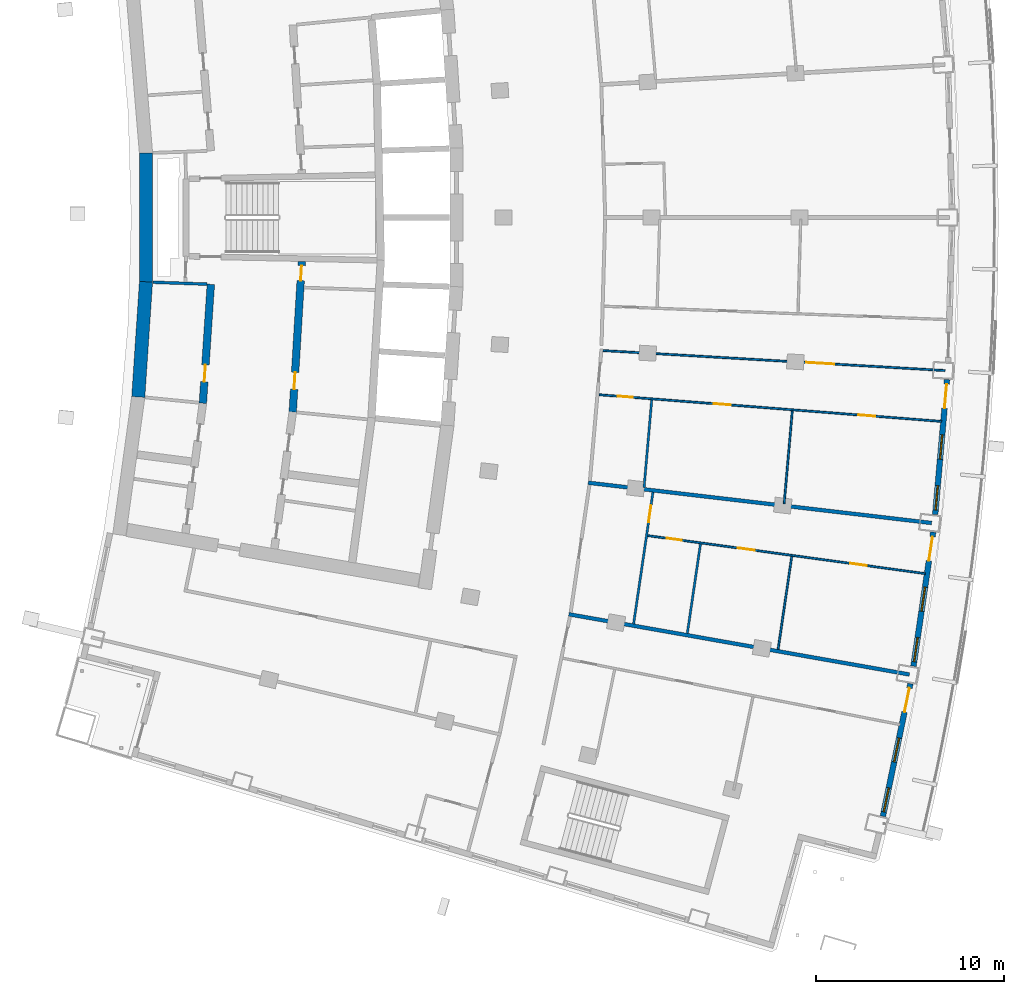
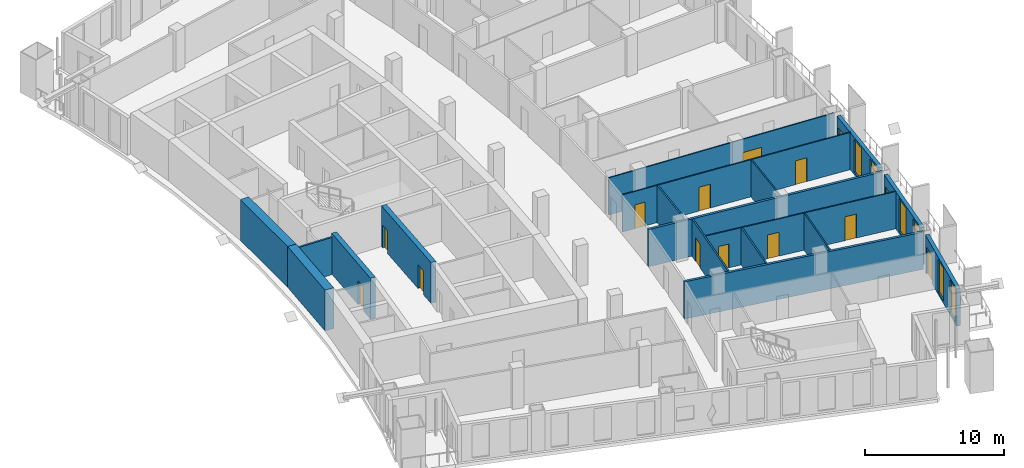
# One storey, part 12 of 20: 18 walls, 14 doors, 6 windows, 20 openings.
"""IFC4 building model written with IfcOpenShell, lengths in metres."""

from ifc_helpers import new_model, si_unit, direction, frame, frame_2d, origin, place, context, subcontext, project, spatial, rectangle, extrude, material, layer, layer_set, type_object, element, fill, save


model = new_model("IFC4")

# Units and contexts
model_context = context("Model", 3, precision=1e-05, world=origin(), true_north=direction((0.0, 1.0)))
body_context = subcontext(model_context, "Body", "Model", "MODEL_VIEW")
ifc_project = project(units=[si_unit("LENGTHUNIT", "METRE"), si_unit("AREAUNIT", "SQUARE_METRE"), si_unit("VOLUMEUNIT", "CUBIC_METRE"), si_unit("PLANEANGLEUNIT", "RADIAN"), si_unit("MASSUNIT", "GRAM", prefix="KILO")], contexts=[model_context])

# Site, building, storey
site_placement = place(None, origin())
site = spatial("IfcSite", under=ifc_project, at=site_placement, CompositionType="ELEMENT")
building_placement = place(site_placement, origin())
building = spatial("IfcBuilding", under=site, at=building_placement, Name="Alderwake Tower", CompositionType="ELEMENT")
storey_placement = place(building_placement, frame((0.0, 0.0, 167.60009765625)))
storey = spatial("IfcBuildingStorey", under=building, at=storey_placement, Name="L41", CompositionType="ELEMENT", Elevation=167.60009765625)

# Walls
ifc_material_1 = material(Name="Gypsum shaft wall system, rated")
ifc_layer_1 = layer(ifc_material_1, 0.14990234375)
ifc_layer_set_1 = layer_set([ifc_layer_1], Name="Core room partition 150")
wall_type_1 = type_object("IfcWallType", Name="Core room partition 150", PredefinedType="PARTITIONING", material=ifc_layer_set_1)
wall_1_placement = place(storey_placement, frame((17.169189453125, 57.560546875, 0.0), z_axis=(0.0, 0.0, 1.0), x_axis=(0.999373538371, -0.03539111194, 0.0)))
element("IfcWall", 1, at=wall_1_placement, inside=storey, type_object=wall_type_1, Name="CW/L41/PR-37_+0", PredefinedType="PARTITIONING", context=body_context, shape_type="SweptSolid", body=[
    extrude(rectangle(XDim=2.86962890625, YDim=0.14990234375, at=frame_2d((1.434814453125, 0.0))), origin(), (0.0, 0.0, 1.0), 3.27978515625),
])
ifc_material_2 = material(Name="Concrete C70/85", Category="concrete")
ifc_layer_2 = layer(ifc_material_2, 0.699951171875)
ifc_layer_set_2 = layer_set([ifc_layer_2], Name="Core wall outer 700 C70-85")
wall_type_2 = type_object("IfcWallType", Name="Core wall outer 700 C70-85", PredefinedType="SHEAR", material=ifc_layer_set_2)
wall_2_placement = place(storey_placement, frame((16.379638671875, 51.46337890625, 0.0), z_axis=(0.0, 0.0, 1.0), x_axis=(0.066917731608, 0.997758496429, 0.0)))
element("IfcWall", 2, at=wall_2_placement, inside=storey, type_object=wall_type_2, Name="Core wall CW.041", PredefinedType="SHEAR", context=body_context, shape_type="SweptSolid", body=[
    extrude(rectangle(XDim=6.136474609375, YDim=0.699951171875, at=frame_2d((3.068359375, 0.0))), origin(), (0.0, 0.0, 1.0), 3.599853515625),
])
wall_3_placement = place(storey_placement, frame((16.789306640625, 57.561767578125, 0.0), z_axis=(0.0, 0.0, 1.0), x_axis=(0.0, 1.0, 0.0)))
element("IfcWall", 3, at=wall_3_placement, inside=storey, type_object=wall_type_2, Name="Core wall CW.043", PredefinedType="SHEAR", context=body_context, shape_type="SweptSolid", body=[
    extrude(rectangle(XDim=6.87939453125, YDim=0.699951171875, at=frame_2d((3.439697265625, 0.0))), origin(), (0.0, 0.0, 1.0), 3.599853515625),
])

# Wall, opening, door
ifc_material_3 = material(Name="Concrete C70/85", Category="concrete")
ifc_layer_3 = layer(ifc_material_3, 0.39990234375)
ifc_layer_set_3 = layer_set([ifc_layer_3], Name="Core wall spine 400 C70-85")
wall_type_3 = type_object("IfcWallType", Name="Core wall spine 400 C70-85", PredefinedType="SHEAR", material=ifc_layer_set_3)
wall_4_placement = place(storey_placement, frame((20.2373046875, 57.451904296875, 0.0), z_axis=(0.0, 0.0, 1.0), x_axis=(-0.066887252767, -0.997760540118, 0.0)))
wall_4 = element("IfcWall", 4, at=wall_4_placement, inside=storey, type_object=wall_type_3, Name="Core wall CW.032", PredefinedType="SHEAR", context=body_context, shape_type="SweptSolid", body=[
    extrude(rectangle(XDim=6.33642578125, YDim=0.39990234375, at=frame_2d((3.168212890625, 0.0))), origin(), (0.0, 0.0, 1.0), 3.599853515625),
])
opening_1_placement = place(wall_4_placement, frame((4.29736328125, 0.0, 0.0)))
opening_1 = element("IfcOpeningElement", 5, at=opening_1_placement, cuts=wall_4, Name="Opening C040", PredefinedType="OPENING", context=body_context, shape_type="SweptSolid", body=[
    extrude(rectangle(XDim=0.89990234375, YDim=2.10009765625, at=frame_2d((0.449951171875, 1.050048828125))), frame((0.0, 0.2099609375, 0.0), z_axis=(0.0, -1.0, 0.0), x_axis=(1.0, 0.0, 0.0)), (0.0, 0.0, 1.0), 0.419921875),
])
ifc_material_4 = material(Name="Painted steel leaf", Category="steel")
door_type_1 = type_object("IfcDoorType", Name="Core room door 900", OperationType="SINGLE_SWING_LEFT", PredefinedType="DOOR", material=ifc_material_4)
door_1_placement = place(opening_1_placement, origin())
door_1 = element("IfcDoor", 6, at=door_1_placement, inside=storey, type_object=door_type_1, Name="Room door", OperationType="SINGLE_SWING_RIGHT", OverallHeight=2.10009765625, OverallWidth=0.89990234375, PredefinedType="DOOR", context=body_context, shape_type="SweptSolid", body=[
    extrude(rectangle(XDim=0.89990234375, YDim=2.10009765625, at=frame_2d((0.449951171875, 1.050048828125))), frame((0.0, 0.02490234375, 0.0), z_axis=(0.0, -1.0, 0.0), x_axis=(1.0, 0.0, 0.0)), (0.0, 0.0, 1.0), 0.050048828125),
])
fill(opening_1, door_1)

# Wall, openings, doors
wall_5_placement = place(storey_placement, frame((24.590087890625, 50.656982421875, 0.0), z_axis=(0.0, 0.0, 1.0), x_axis=(0.060320473855, 0.99817906231, 0.0)))
wall_5 = element("IfcWall", 7, at=wall_5_placement, inside=storey, type_object=wall_type_3, Name="Core wall CW.046", PredefinedType="SHEAR", context=body_context, shape_type="SweptSolid", body=[
    extrude(rectangle(XDim=8.02197265625, YDim=0.39990234375, at=frame_2d((4.010986328125, 0.0))), origin(), (0.0, 0.0, 1.0), 3.599853515625),
])
opening_2_placement = place(wall_5_placement, frame((7.005859375, 0.0, 0.0)))
opening_2 = element("IfcOpeningElement", 8, at=opening_2_placement, cuts=wall_5, Name="Opening C006", PredefinedType="OPENING", context=body_context, shape_type="SweptSolid", body=[
    extrude(rectangle(XDim=0.800048828125, YDim=2.0, at=frame_2d((0.39990234375, 1.0))), frame((0.0, 0.2099609375, 0.0), z_axis=(0.0, -1.0, 0.0), x_axis=(1.0, 0.0, 0.0)), (0.0, 0.0, 1.0), 0.419921875),
])
opening_3_placement = place(wall_5_placement, frame((1.21533203125, 0.0, 0.0)))
opening_3 = element("IfcOpeningElement", 9, at=opening_3_placement, cuts=wall_5, Name="Opening C046", PredefinedType="OPENING", context=body_context, shape_type="SweptSolid", body=[
    extrude(rectangle(XDim=0.89990234375, YDim=2.10009765625, at=frame_2d((0.449951171875, 1.050048828125))), frame((0.0, 0.2099609375, 0.0), z_axis=(0.0, -1.0, 0.0), x_axis=(1.0, 0.0, 0.0)), (0.0, 0.0, 1.0), 0.419921875),
])
door_2_placement = place(opening_3_placement, origin())
door_2 = element("IfcDoor", 10, at=door_2_placement, inside=storey, type_object=door_type_1, Name="Room door", OperationType="SINGLE_SWING_RIGHT", OverallHeight=2.10009765625, OverallWidth=0.89990234375, PredefinedType="DOOR", context=body_context, shape_type="SweptSolid", body=[
    extrude(rectangle(XDim=0.89990234375, YDim=2.10009765625, at=frame_2d((0.449951171875, 1.050048828125))), frame((0.0, 0.02490234375, 0.0), z_axis=(0.0, -1.0, 0.0), x_axis=(1.0, 0.0, 0.0)), (0.0, 0.0, 1.0), 0.050048828125),
])
fill(opening_3, door_2)
ifc_material_5 = material(Name="Painted steel leaf, rated", Category="steel")
door_type_2 = type_object("IfcDoorType", Name="Riser access door 800", OperationType="SINGLE_SWING_LEFT", PredefinedType="DOOR", material=ifc_material_5)
door_3_placement = place(opening_2_placement, origin())
door_3 = element("IfcDoor", 11, at=door_3_placement, inside=storey, type_object=door_type_2, Name="Riser access door", OperationType="SINGLE_SWING_RIGHT", OverallHeight=2.0, OverallWidth=0.800048828125, PredefinedType="DOOR", context=body_context, shape_type="SweptSolid", body=[
    extrude(rectangle(XDim=0.800048828125, YDim=2.0, at=frame_2d((0.39990234375, 1.0))), frame((0.0, 0.02490234375, 0.0), z_axis=(0.0, -1.0, 0.0), x_axis=(1.0, 0.0, 0.0)), (0.0, 0.0, 1.0), 0.050048828125),
])
fill(opening_2, door_3)

# Wall, openings, door, windows
ifc_material_6 = material(Name="Precast concrete C50/60 spandrel panel", Category="concrete")
ifc_layer_4 = layer(ifc_material_6, 0.300048828125)
ifc_layer_set_4 = layer_set([ifc_layer_4], Name="External wall EW1 Precast concrete C50/60 spandrel")
wall_type_4 = type_object("IfcWallType", Name="External wall EW1 Precast concrete C50/60 spandrel", PredefinedType="SOLIDWALL", material=ifc_layer_set_4)
wall_6_placement = place(storey_placement, frame((55.961669921875, 29.173095703125, 0.0), z_axis=(0.0, 0.0, 1.0), x_axis=(0.202737932552, 0.97923303187, 0.0)))
wall_6 = element("IfcWall", 12, at=wall_6_placement, inside=storey, type_object=wall_type_4, Name="External wall 12", PredefinedType="SOLIDWALL", context=body_context, shape_type="SweptSolid", body=[
    extrude(rectangle(XDim=7.19873046875, YDim=0.300048828125, at=frame_2d((3.599365234375, 0.0))), origin(), (0.0, 0.0, 1.0), 3.27978515625),
])
opening_4_placement = place(wall_6_placement, frame((0.2392578125, 0.0, 0.199951171875)))
opening_4 = element("IfcOpeningElement", 13, at=opening_4_placement, cuts=wall_6, Name="Opening W1", PredefinedType="OPENING", context=body_context, shape_type="SweptSolid", body=[
    extrude(rectangle(XDim=1.300048828125, YDim=2.89990234375, at=frame_2d((0.64990234375, 1.449951171875))), frame((0.0, 0.159912109375, 0.0), z_axis=(0.0, -1.0, 0.0), x_axis=(1.0, 0.0, 0.0)), (0.0, 0.0, 1.0), 0.320068359375),
])
opening_5_placement = place(wall_6_placement, frame((2.949462890625, 0.0, 0.199951171875)))
opening_5 = element("IfcOpeningElement", 14, at=opening_5_placement, cuts=wall_6, Name="Opening W1", PredefinedType="OPENING", context=body_context, shape_type="SweptSolid", body=[
    extrude(rectangle(XDim=1.300048828125, YDim=2.89990234375, at=frame_2d((0.64990234375, 1.449951171875))), frame((0.0, 0.159912109375, 0.0), z_axis=(0.0, -1.0, 0.0), x_axis=(1.0, 0.0, 0.0)), (0.0, 0.0, 1.0), 0.320068359375),
])
opening_6_placement = place(wall_6_placement, frame((5.659423828125, 0.0, 0.0)))
opening_6 = element("IfcOpeningElement", 15, at=opening_6_placement, cuts=wall_6, Name="Opening D02", PredefinedType="OPENING", context=body_context, shape_type="SweptSolid", body=[
    extrude(rectangle(XDim=1.300048828125, YDim=2.39990234375, at=frame_2d((0.64990234375, 1.199951171875))), frame((0.0, 0.159912109375, 0.0), z_axis=(0.0, -1.0, 0.0), x_axis=(1.0, 0.0, 0.0)), (0.0, 0.0, 1.0), 0.320068359375),
])
ifc_material_7 = material(Name="Bronze tinted glass in aluminium frame", Category="aluminium")
door_type_3 = type_object("IfcDoorType", Name="Balcony door BD sliding", OperationType="SLIDING_TO_LEFT", PredefinedType="DOOR", material=ifc_material_7)
door_4_placement = place(opening_6_placement, origin())
door_4 = element("IfcDoor", 16, at=door_4_placement, inside=storey, type_object=door_type_3, Name="Door D02", OperationType="SLIDING_TO_LEFT", OverallHeight=2.39990234375, OverallWidth=1.300048828125, PredefinedType="DOOR", context=body_context, shape_type="SweptSolid", body=[
    extrude(rectangle(XDim=1.300048828125, YDim=2.39990234375, at=frame_2d((0.64990234375, 1.199951171875))), frame((0.0, 0.02490234375, 0.0), z_axis=(0.0, -1.0, 0.0), x_axis=(1.0, 0.0, 0.0)), (0.0, 0.0, 1.0), 0.050048828125),
])
fill(opening_6, door_4)
ifc_material_8 = material(Name="Bronze tinted glass in aluminium frame", Category="aluminium")
window_type = type_object("IfcWindowType", Name="Window W1 tall fixed and vent", PartitioningType="DOUBLE_PANEL_VERTICAL", PredefinedType="WINDOW", material=ifc_material_8)
window_1_placement = place(opening_4_placement, origin())
window_1 = element("IfcWindow", 17, at=window_1_placement, inside=storey, type_object=window_type, Name="Window W1 tall fixed and vent", OverallHeight=2.89990234375, OverallWidth=1.300048828125, PartitioningType="DOUBLE_PANEL_VERTICAL", PredefinedType="WINDOW", context=body_context, shape_type="SweptSolid", body=[
    extrude(rectangle(XDim=1.300048828125, YDim=2.89990234375, at=frame_2d((0.64990234375, 1.449951171875))), frame((0.0, 0.030029296875, 0.0), z_axis=(0.0, -1.0, 0.0), x_axis=(1.0, 0.0, 0.0)), (0.0, 0.0, 1.0), 0.06005859375),
])
fill(opening_4, window_1)
window_2_placement = place(opening_5_placement, origin())
window_2 = element("IfcWindow", 18, at=window_2_placement, inside=storey, type_object=window_type, Name="Window W1 tall fixed and vent", OverallHeight=2.89990234375, OverallWidth=1.300048828125, PartitioningType="DOUBLE_PANEL_VERTICAL", PredefinedType="WINDOW", context=body_context, shape_type="SweptSolid", body=[
    extrude(rectangle(XDim=1.300048828125, YDim=2.89990234375, at=frame_2d((0.64990234375, 1.449951171875))), frame((0.0, 0.030029296875, 0.0), z_axis=(0.0, -1.0, 0.0), x_axis=(1.0, 0.0, 0.0)), (0.0, 0.0, 1.0), 0.06005859375),
])
fill(opening_5, window_2)

wall_7_placement = place(storey_placement, frame((57.585693359375, 37.15380859375, 0.0), z_axis=(0.0, 0.0, 1.0), x_axis=(0.145318248107, 0.989384963888, 0.0)))
wall_7 = element("IfcWall", 19, at=wall_7_placement, inside=storey, type_object=wall_type_4, Name="External wall 13", PredefinedType="SOLIDWALL", context=body_context, shape_type="SweptSolid", body=[
    extrude(rectangle(XDim=7.198974609375, YDim=0.300048828125, at=frame_2d((3.599609375, 0.0))), origin(), (0.0, 0.0, 1.0), 3.27978515625),
])
opening_7_placement = place(wall_7_placement, frame((0.2392578125, 0.0, 0.199951171875)))
opening_7 = element("IfcOpeningElement", 20, at=opening_7_placement, cuts=wall_7, Name="Opening W1", PredefinedType="OPENING", context=body_context, shape_type="SweptSolid", body=[
    extrude(rectangle(XDim=1.300048828125, YDim=2.89990234375, at=frame_2d((0.64990234375, 1.449951171875))), frame((0.0, 0.159912109375, 0.0), z_axis=(0.0, -1.0, 0.0), x_axis=(1.0, 0.0, 0.0)), (0.0, 0.0, 1.0), 0.320068359375),
])
opening_8_placement = place(wall_7_placement, frame((2.949462890625, 0.0, 0.199951171875)))
opening_8 = element("IfcOpeningElement", 21, at=opening_8_placement, cuts=wall_7, Name="Opening W1", PredefinedType="OPENING", context=body_context, shape_type="SweptSolid", body=[
    extrude(rectangle(XDim=1.300048828125, YDim=2.89990234375, at=frame_2d((0.64990234375, 1.449951171875))), frame((0.0, 0.159912109375, 0.0), z_axis=(0.0, -1.0, 0.0), x_axis=(1.0, 0.0, 0.0)), (0.0, 0.0, 1.0), 0.320068359375),
])
opening_9_placement = place(wall_7_placement, frame((5.65966796875, 0.0, 0.0)))
opening_9 = element("IfcOpeningElement", 22, at=opening_9_placement, cuts=wall_7, Name="Opening D03", PredefinedType="OPENING", context=body_context, shape_type="SweptSolid", body=[
    extrude(rectangle(XDim=1.300048828125, YDim=2.39990234375, at=frame_2d((0.64990234375, 1.199951171875))), frame((0.0, 0.159912109375, 0.0), z_axis=(0.0, -1.0, 0.0), x_axis=(1.0, 0.0, 0.0)), (0.0, 0.0, 1.0), 0.320068359375),
])
door_5_placement = place(opening_9_placement, origin())
door_5 = element("IfcDoor", 23, at=door_5_placement, inside=storey, type_object=door_type_3, Name="Door D03", OperationType="SLIDING_TO_LEFT", OverallHeight=2.39990234375, OverallWidth=1.300048828125, PredefinedType="DOOR", context=body_context, shape_type="SweptSolid", body=[
    extrude(rectangle(XDim=1.300048828125, YDim=2.39990234375, at=frame_2d((0.64990234375, 1.199951171875))), frame((0.0, 0.02490234375, 0.0), z_axis=(0.0, -1.0, 0.0), x_axis=(1.0, 0.0, 0.0)), (0.0, 0.0, 1.0), 0.050048828125),
])
fill(opening_9, door_5)
window_3_placement = place(opening_7_placement, origin())
window_3 = element("IfcWindow", 24, at=window_3_placement, inside=storey, type_object=window_type, Name="Window W1 tall fixed and vent", OverallHeight=2.89990234375, OverallWidth=1.300048828125, PartitioningType="DOUBLE_PANEL_VERTICAL", PredefinedType="WINDOW", context=body_context, shape_type="SweptSolid", body=[
    extrude(rectangle(XDim=1.300048828125, YDim=2.89990234375, at=frame_2d((0.64990234375, 1.449951171875))), frame((0.0, 0.030029296875, 0.0), z_axis=(0.0, -1.0, 0.0), x_axis=(1.0, 0.0, 0.0)), (0.0, 0.0, 1.0), 0.06005859375),
])
fill(opening_7, window_3)
window_4_placement = place(opening_8_placement, origin())
window_4 = element("IfcWindow", 25, at=window_4_placement, inside=storey, type_object=window_type, Name="Window W1 tall fixed and vent", OverallHeight=2.89990234375, OverallWidth=1.300048828125, PartitioningType="DOUBLE_PANEL_VERTICAL", PredefinedType="WINDOW", context=body_context, shape_type="SweptSolid", body=[
    extrude(rectangle(XDim=1.300048828125, YDim=2.89990234375, at=frame_2d((0.64990234375, 1.449951171875))), frame((0.0, 0.030029296875, 0.0), z_axis=(0.0, -1.0, 0.0), x_axis=(1.0, 0.0, 0.0)), (0.0, 0.0, 1.0), 0.06005859375),
])
fill(opening_8, window_4)

wall_8_placement = place(storey_placement, frame((58.741943359375, 45.2158203125, 0.0), z_axis=(0.0, 0.0, 1.0), x_axis=(0.087397918497, 0.996173480797, 0.0)))
wall_8 = element("IfcWall", 26, at=wall_8_placement, inside=storey, type_object=wall_type_4, Name="External wall 14", PredefinedType="SOLIDWALL", context=body_context, shape_type="SweptSolid", body=[
    extrude(rectangle(XDim=7.19873046875, YDim=0.300048828125, at=frame_2d((3.599365234375, 0.0))), origin(), (0.0, 0.0, 1.0), 3.27978515625),
])
opening_10_placement = place(wall_8_placement, frame((0.2392578125, 0.0, 0.199951171875)))
opening_10 = element("IfcOpeningElement", 27, at=opening_10_placement, cuts=wall_8, Name="Opening W1", PredefinedType="OPENING", context=body_context, shape_type="SweptSolid", body=[
    extrude(rectangle(XDim=1.300048828125, YDim=2.89990234375, at=frame_2d((0.64990234375, 1.449951171875))), frame((0.0, 0.159912109375, 0.0), z_axis=(0.0, -1.0, 0.0), x_axis=(1.0, 0.0, 0.0)), (0.0, 0.0, 1.0), 0.320068359375),
])
opening_11_placement = place(wall_8_placement, frame((2.949462890625, 0.0, 0.199951171875)))
opening_11 = element("IfcOpeningElement", 28, at=opening_11_placement, cuts=wall_8, Name="Opening W1", PredefinedType="OPENING", context=body_context, shape_type="SweptSolid", body=[
    extrude(rectangle(XDim=1.300048828125, YDim=2.89990234375, at=frame_2d((0.64990234375, 1.449951171875))), frame((0.0, 0.159912109375, 0.0), z_axis=(0.0, -1.0, 0.0), x_axis=(1.0, 0.0, 0.0)), (0.0, 0.0, 1.0), 0.320068359375),
])
opening_12_placement = place(wall_8_placement, frame((5.65966796875, 0.0, 0.0)))
opening_12 = element("IfcOpeningElement", 29, at=opening_12_placement, cuts=wall_8, Name="Opening D04", PredefinedType="OPENING", context=body_context, shape_type="SweptSolid", body=[
    extrude(rectangle(XDim=1.300048828125, YDim=2.39990234375, at=frame_2d((0.64990234375, 1.199951171875))), frame((0.0, 0.159912109375, 0.0), z_axis=(0.0, -1.0, 0.0), x_axis=(1.0, 0.0, 0.0)), (0.0, 0.0, 1.0), 0.320068359375),
])
door_6_placement = place(opening_12_placement, origin())
door_6 = element("IfcDoor", 30, at=door_6_placement, inside=storey, type_object=door_type_3, Name="Door D04", OperationType="SLIDING_TO_LEFT", OverallHeight=2.39990234375, OverallWidth=1.300048828125, PredefinedType="DOOR", context=body_context, shape_type="SweptSolid", body=[
    extrude(rectangle(XDim=1.300048828125, YDim=2.39990234375, at=frame_2d((0.64990234375, 1.199951171875))), frame((0.0, 0.02490234375, 0.0), z_axis=(0.0, -1.0, 0.0), x_axis=(1.0, 0.0, 0.0)), (0.0, 0.0, 1.0), 0.050048828125),
])
fill(opening_12, door_6)
window_5_placement = place(opening_10_placement, origin())
window_5 = element("IfcWindow", 31, at=window_5_placement, inside=storey, type_object=window_type, Name="Window W1 tall fixed and vent", OverallHeight=2.89990234375, OverallWidth=1.300048828125, PartitioningType="DOUBLE_PANEL_VERTICAL", PredefinedType="WINDOW", context=body_context, shape_type="SweptSolid", body=[
    extrude(rectangle(XDim=1.300048828125, YDim=2.89990234375, at=frame_2d((0.64990234375, 1.449951171875))), frame((0.0, 0.030029296875, 0.0), z_axis=(0.0, -1.0, 0.0), x_axis=(1.0, 0.0, 0.0)), (0.0, 0.0, 1.0), 0.06005859375),
])
fill(opening_10, window_5)
window_6_placement = place(opening_11_placement, origin())
window_6 = element("IfcWindow", 32, at=window_6_placement, inside=storey, type_object=window_type, Name="Window W1 tall fixed and vent", OverallHeight=2.89990234375, OverallWidth=1.300048828125, PartitioningType="DOUBLE_PANEL_VERTICAL", PredefinedType="WINDOW", context=body_context, shape_type="SweptSolid", body=[
    extrude(rectangle(XDim=1.300048828125, YDim=2.89990234375, at=frame_2d((0.64990234375, 1.449951171875))), frame((0.0, 0.030029296875, 0.0), z_axis=(0.0, -1.0, 0.0), x_axis=(1.0, 0.0, 0.0)), (0.0, 0.0, 1.0), 0.06005859375),
])
fill(opening_11, window_6)

# Walls
ifc_material_9 = material(Name="Dense block masonry wall", Category="masonry")
ifc_layer_5 = layer(ifc_material_9, 0.199951171875)
ifc_layer_set_5 = layer_set([ifc_layer_5], Name="Party wall 200")
wall_type_5 = type_object("IfcWallType", Name="Party wall 200", PredefinedType="SOLIDWALL", material=ifc_layer_set_5)
wall_9_placement = place(storey_placement, frame((39.269287109375, 39.910888671875, 0.0), z_axis=(0.0, 0.0, 1.0), x_axis=(0.98472855116, -0.174096756232, 0.0)))
element("IfcWall", 33, at=wall_9_placement, inside=storey, type_object=wall_type_5, Name="WL/L41/W01", PredefinedType="SOLIDWALL", context=body_context, shape_type="SweptSolid", body=[
    extrude(rectangle(XDim=18.38037109375, YDim=0.199951171875, at=frame_2d((9.190185546875, 0.0))), origin(), (0.0, 0.0, 1.0), 3.27978515625),
])
wall_10_placement = place(storey_placement, frame((58.551025390625, 44.762939453125, 0.0), z_axis=(0.0, 0.0, 1.0), x_axis=(-0.993201379806, 0.116408844812, 0.0)))
element("IfcWall", 34, at=wall_10_placement, inside=storey, type_object=wall_type_5, Name="WL/L41/W03", PredefinedType="SOLIDWALL", context=body_context, shape_type="SweptSolid", body=[
    extrude(rectangle(XDim=18.37841796875, YDim=0.199951171875, at=frame_2d((9.189208984375, 0.0))), origin(), (0.0, 0.0, 1.0), 3.27978515625),
])

# Wall, openings, doors
ifc_material_10 = material(Name="Gypsum board on metal studs")
ifc_layer_6 = layer(ifc_material_10, 0.10009765625)
ifc_layer_set_6 = layer_set([ifc_layer_6], Name="Unit partition 100")
wall_type_6 = type_object("IfcWallType", Name="Unit partition 100", PredefinedType="PARTITIONING", material=ifc_layer_set_6)
wall_11_placement = place(storey_placement, frame((59.075927734375, 50.1630859375, 0.0), z_axis=(0.0, 0.0, 1.0), x_axis=(-0.996978274277, 0.077680889673, 0.0)))
wall_11 = element("IfcWall", 35, at=wall_11_placement, inside=storey, type_object=wall_type_6, Name="WL/L41/W45", PredefinedType="PARTITIONING", context=body_context, shape_type="SweptSolid", body=[
    extrude(rectangle(XDim=18.26318359375, YDim=0.10009765625, at=frame_2d((9.131591796875, 0.0))), origin(), (0.0, 0.0, 1.0), 3.27978515625),
])
opening_13_placement = place(wall_11_placement, frame((11.247802734375, 0.0, 0.0)))
opening_13 = element("IfcOpeningElement", 36, at=opening_13_placement, cuts=wall_11, Name="Opening R11-U05.1", PredefinedType="OPENING", context=body_context, shape_type="SweptSolid", body=[
    extrude(rectangle(XDim=0.89990234375, YDim=2.10009765625, at=frame_2d((0.449951171875, 1.050048828125))), frame((0.0, 0.06005859375, 0.0), z_axis=(0.0, -1.0, 0.0), x_axis=(1.0, 0.0, 0.0)), (0.0, 0.0, 1.0), 0.1201171875),
])
opening_14_placement = place(wall_11_placement, frame((16.4541015625, 0.0, 0.0)))
opening_14 = element("IfcOpeningElement", 37, at=opening_14_placement, cuts=wall_11, Name="Opening R11-U05.3", PredefinedType="OPENING", context=body_context, shape_type="SweptSolid", body=[
    extrude(rectangle(XDim=0.800048828125, YDim=2.10009765625, at=frame_2d((0.39990234375, 1.050048828125))), frame((0.0, 0.06005859375, 0.0), z_axis=(0.0, -1.0, 0.0), x_axis=(1.0, 0.0, 0.0)), (0.0, 0.0, 1.0), 0.1201171875),
])
opening_15_placement = place(wall_11_placement, frame((3.52587890625, 0.0, 0.0)))
opening_15 = element("IfcOpeningElement", 38, at=opening_15_placement, cuts=wall_11, Name="Opening R11-U05.4", PredefinedType="OPENING", context=body_context, shape_type="SweptSolid", body=[
    extrude(rectangle(XDim=0.89990234375, YDim=2.10009765625, at=frame_2d((0.449951171875, 1.050048828125))), frame((0.0, 0.06005859375, 0.0), z_axis=(0.0, -1.0, 0.0), x_axis=(1.0, 0.0, 0.0)), (0.0, 0.0, 1.0), 0.1201171875),
])
ifc_material_11 = material(Name="Painted timber leaf", Category="wood")
door_type_4 = type_object("IfcDoorType", Name="Bathroom door 800", OperationType="SINGLE_SWING_LEFT", PredefinedType="DOOR", material=ifc_material_11)
door_7_placement = place(opening_14_placement, origin())
door_7 = element("IfcDoor", 39, at=door_7_placement, inside=storey, type_object=door_type_4, Name="DR/L41/U05.3", OperationType="SINGLE_SWING_LEFT", OverallHeight=2.10009765625, OverallWidth=0.800048828125, PredefinedType="DOOR", context=body_context, shape_type="SweptSolid", body=[
    extrude(rectangle(XDim=0.800048828125, YDim=2.10009765625, at=frame_2d((0.39990234375, 1.050048828125))), frame((0.0, 0.02490234375, 0.0), z_axis=(0.0, -1.0, 0.0), x_axis=(1.0, 0.0, 0.0)), (0.0, 0.0, 1.0), 0.050048828125),
])
fill(opening_14, door_7)
ifc_material_12 = material(Name="Painted timber leaf", Category="wood")
door_type_5 = type_object("IfcDoorType", Name="Room door 900", OperationType="SINGLE_SWING_LEFT", PredefinedType="DOOR", material=ifc_material_12)
door_8_placement = place(opening_13_placement, origin())
door_8 = element("IfcDoor", 40, at=door_8_placement, inside=storey, type_object=door_type_5, Name="DR/L41/U05.1", OperationType="SINGLE_SWING_LEFT", OverallHeight=2.10009765625, OverallWidth=0.89990234375, PredefinedType="DOOR", context=body_context, shape_type="SweptSolid", body=[
    extrude(rectangle(XDim=0.89990234375, YDim=2.10009765625, at=frame_2d((0.449951171875, 1.050048828125))), frame((0.0, 0.02490234375, 0.0), z_axis=(0.0, -1.0, 0.0), x_axis=(1.0, 0.0, 0.0)), (0.0, 0.0, 1.0), 0.050048828125),
])
fill(opening_13, door_8)
door_9_placement = place(opening_15_placement, origin())
door_9 = element("IfcDoor", 41, at=door_9_placement, inside=storey, type_object=door_type_5, Name="DR/L41/U05.4", OperationType="SINGLE_SWING_LEFT", OverallHeight=2.10009765625, OverallWidth=0.89990234375, PredefinedType="DOOR", context=body_context, shape_type="SweptSolid", body=[
    extrude(rectangle(XDim=0.89990234375, YDim=2.10009765625, at=frame_2d((0.449951171875, 1.050048828125))), frame((0.0, 0.02490234375, 0.0), z_axis=(0.0, -1.0, 0.0), x_axis=(1.0, 0.0, 0.0)), (0.0, 0.0, 1.0), 0.050048828125),
])
fill(opening_15, door_9)

wall_12_placement = place(storey_placement, frame((58.2060546875, 42.072021484375, 0.0), z_axis=(0.0, 0.0, 1.0), x_axis=(-0.990748936324, 0.135707572274, 0.0)))
wall_12 = element("IfcWall", 42, at=wall_12_placement, inside=storey, type_object=wall_type_6, Name="WL/L41/W48", PredefinedType="PARTITIONING", context=body_context, shape_type="SweptSolid", body=[
    extrude(rectangle(XDim=14.88330078125, YDim=0.10009765625, at=frame_2d((7.441650390625, 0.0))), origin(), (0.0, 0.0, 1.0), 3.27978515625),
])
opening_16_placement = place(wall_12_placement, frame((9.14599609375, 0.0, 0.0)))
opening_16 = element("IfcOpeningElement", 43, at=opening_16_placement, cuts=wall_12, Name="Opening R11-U04.1", PredefinedType="OPENING", context=body_context, shape_type="SweptSolid", body=[
    extrude(rectangle(XDim=0.89990234375, YDim=2.10009765625, at=frame_2d((0.449951171875, 1.050048828125))), frame((0.0, 0.06005859375, 0.0), z_axis=(0.0, -1.0, 0.0), x_axis=(1.0, 0.0, 0.0)), (0.0, 0.0, 1.0), 0.1201171875),
])
opening_17_placement = place(wall_12_placement, frame((13.063720703125, 0.0, 0.0)))
opening_17 = element("IfcOpeningElement", 44, at=opening_17_placement, cuts=wall_12, Name="Opening R11-U04.4", PredefinedType="OPENING", context=body_context, shape_type="SweptSolid", body=[
    extrude(rectangle(XDim=0.800048828125, YDim=2.10009765625, at=frame_2d((0.39990234375, 1.050048828125))), frame((0.0, 0.06005859375, 0.0), z_axis=(0.0, -1.0, 0.0), x_axis=(1.0, 0.0, 0.0)), (0.0, 0.0, 1.0), 0.1201171875),
])
opening_18_placement = place(wall_12_placement, frame((3.1240234375, 0.0, 0.0)))
opening_18 = element("IfcOpeningElement", 45, at=opening_18_placement, cuts=wall_12, Name="Opening R11-U04.5", PredefinedType="OPENING", context=body_context, shape_type="SweptSolid", body=[
    extrude(rectangle(XDim=0.89990234375, YDim=2.10009765625, at=frame_2d((0.449951171875, 1.050048828125))), frame((0.0, 0.06005859375, 0.0), z_axis=(0.0, -1.0, 0.0), x_axis=(1.0, 0.0, 0.0)), (0.0, 0.0, 1.0), 0.1201171875),
])
door_10_placement = place(opening_17_placement, origin())
door_10 = element("IfcDoor", 46, at=door_10_placement, inside=storey, type_object=door_type_4, Name="DR/L41/U04.4", OperationType="SINGLE_SWING_LEFT", OverallHeight=2.10009765625, OverallWidth=0.800048828125, PredefinedType="DOOR", context=body_context, shape_type="SweptSolid", body=[
    extrude(rectangle(XDim=0.800048828125, YDim=2.10009765625, at=frame_2d((0.39990234375, 1.050048828125))), frame((0.0, 0.02490234375, 0.0), z_axis=(0.0, -1.0, 0.0), x_axis=(1.0, 0.0, 0.0)), (0.0, 0.0, 1.0), 0.050048828125),
])
fill(opening_17, door_10)
door_11_placement = place(opening_16_placement, origin())
door_11 = element("IfcDoor", 47, at=door_11_placement, inside=storey, type_object=door_type_5, Name="DR/L41/U04.1", OperationType="SINGLE_SWING_LEFT", OverallHeight=2.10009765625, OverallWidth=0.89990234375, PredefinedType="DOOR", context=body_context, shape_type="SweptSolid", body=[
    extrude(rectangle(XDim=0.89990234375, YDim=2.10009765625, at=frame_2d((0.449951171875, 1.050048828125))), frame((0.0, 0.02490234375, 0.0), z_axis=(0.0, -1.0, 0.0), x_axis=(1.0, 0.0, 0.0)), (0.0, 0.0, 1.0), 0.050048828125),
])
fill(opening_16, door_11)
door_12_placement = place(opening_18_placement, origin())
door_12 = element("IfcDoor", 48, at=door_12_placement, inside=storey, type_object=door_type_5, Name="DR/L41/U04.5", OperationType="SINGLE_SWING_LEFT", OverallHeight=2.10009765625, OverallWidth=0.89990234375, PredefinedType="DOOR", context=body_context, shape_type="SweptSolid", body=[
    extrude(rectangle(XDim=0.89990234375, YDim=2.10009765625, at=frame_2d((0.449951171875, 1.050048828125))), frame((0.0, 0.02490234375, 0.0), z_axis=(0.0, -1.0, 0.0), x_axis=(1.0, 0.0, 0.0)), (0.0, 0.0, 1.0), 0.050048828125),
])
fill(opening_18, door_12)

# Walls
wall_13_placement = place(storey_placement, frame((50.390380859375, 38.0458984375, 0.0), z_axis=(0.0, 0.0, 1.0), x_axis=(0.145112912373, 0.989415101291, 0.0)))
element("IfcWall", 49, at=wall_13_placement, inside=storey, type_object=wall_type_6, Name="WL/L41/W50", PredefinedType="PARTITIONING", context=body_context, shape_type="SweptSolid", body=[
    extrude(rectangle(XDim=4.99853515625, YDim=0.10009765625, at=frame_2d((2.499267578125, 0.0))), origin(), (0.0, 0.0, 1.0), 3.27978515625),
])
wall_14_placement = place(storey_placement, frame((50.711669921875, 45.78076171875, 0.0), z_axis=(0.0, 0.0, 1.0), x_axis=(0.087352937881, 0.996177426086, 0.0)))
element("IfcWall", 50, at=wall_14_placement, inside=storey, type_object=wall_type_6, Name="WL/L41/W51", PredefinedType="PARTITIONING", context=body_context, shape_type="SweptSolid", body=[
    extrude(rectangle(XDim=4.966552734375, YDim=0.10009765625, at=frame_2d((2.4833984375, 0.0))), origin(), (0.0, 0.0, 1.0), 3.27978515625),
])

# Wall, opening, door
wall_15_placement = place(storey_placement, frame((41.074951171875, 53.92919921875, 0.0), z_axis=(0.0, 0.0, 1.0), x_axis=(0.998295518632, -0.058361438286, 0.0)))
wall_15 = element("IfcWall", 51, at=wall_15_placement, inside=storey, type_object=wall_type_6, Name="WL/L41/W55", PredefinedType="PARTITIONING", context=body_context, shape_type="SweptSolid", body=[
    extrude(rectangle(XDim=18.218017578125, YDim=0.10009765625, at=frame_2d((9.10888671875, 0.0))), origin(), (0.0, 0.0, 1.0), 3.27978515625),
])
opening_19_placement = place(wall_15_placement, frame((10.830810546875, 0.0, 0.0)))
opening_19 = element("IfcOpeningElement", 52, at=opening_19_placement, cuts=wall_15, Name="Opening R11-U05.8", PredefinedType="OPENING", context=body_context, shape_type="SweptSolid", body=[
    extrude(rectangle(XDim=1.5, YDim=2.10009765625, at=frame_2d((0.75, 1.050048828125))), frame((0.0, 0.06005859375, 0.0), z_axis=(0.0, -1.0, 0.0), x_axis=(1.0, 0.0, 0.0)), (0.0, 0.0, 1.0), 0.1201171875),
])
ifc_material_13 = material(Name="Painted timber leaves", Category="wood")
door_type_6 = type_object("IfcDoorType", Name="Double leaf door 1500", OperationType="DOUBLE_DOOR_SINGLE_SWING", PredefinedType="DOOR", material=ifc_material_13)
door_13_placement = place(opening_19_placement, origin())
door_13 = element("IfcDoor", 53, at=door_13_placement, inside=storey, type_object=door_type_6, Name="DR/L41/U05.8", OperationType="DOUBLE_DOOR_SINGLE_SWING", OverallHeight=2.10009765625, OverallWidth=1.5, PredefinedType="DOOR", context=body_context, shape_type="SweptSolid", body=[
    extrude(rectangle(XDim=1.5, YDim=2.10009765625, at=frame_2d((0.75, 1.050048828125))), frame((0.0, 0.02490234375, 0.0), z_axis=(0.0, -1.0, 0.0), x_axis=(1.0, 0.0, 0.0)), (0.0, 0.0, 1.0), 0.050048828125),
])
fill(opening_19, door_13)

ifc_material_14 = material(Name="Moisture resistant gypsum board on metal studs")
ifc_layer_7 = layer(ifc_material_14, 0.1201171875)
ifc_layer_set_7 = layer_set([ifc_layer_7], Name="Wet room partition 120")
wall_type_7 = type_object("IfcWallType", Name="Wet room partition 120", PredefinedType="PARTITIONING", material=ifc_layer_set_7)
wall_16_placement = place(storey_placement, frame((43.737548828125, 46.39794921875, 0.0), z_axis=(0.0, 0.0, 1.0), x_axis=(-0.145317973425, -0.989385004232, 0.0)))
wall_16 = element("IfcWall", 54, at=wall_16_placement, inside=storey, type_object=wall_type_7, Name="WL/L41/W34", PredefinedType="PARTITIONING", context=body_context, shape_type="SweptSolid", body=[
    extrude(rectangle(XDim=7.06787109375, YDim=0.1201171875, at=frame_2d((3.533935546875, 0.0))), origin(), (0.0, 0.0, 1.0), 3.27978515625),
])
opening_20_placement = place(wall_16_placement, frame((0.71142578125, 0.0, 0.0)))
opening_20 = element("IfcOpeningElement", 55, at=opening_20_placement, cuts=wall_16, Name="Opening R11-U04.3", PredefinedType="OPENING", context=body_context, shape_type="SweptSolid", body=[
    extrude(rectangle(XDim=0.89990234375, YDim=2.10009765625, at=frame_2d((0.449951171875, 1.050048828125))), frame((0.0, 0.070068359375, 0.0), z_axis=(0.0, -1.0, 0.0), x_axis=(1.0, 0.0, 0.0)), (0.0, 0.0, 1.0), 0.14013671875),
])
door_14_placement = place(opening_20_placement, origin())
door_14 = element("IfcDoor", 56, at=door_14_placement, inside=storey, type_object=door_type_5, Name="DR/L41/U04.3", OperationType="SINGLE_SWING_LEFT", OverallHeight=2.10009765625, OverallWidth=0.89990234375, PredefinedType="DOOR", context=body_context, shape_type="SweptSolid", body=[
    extrude(rectangle(XDim=0.89990234375, YDim=2.10009765625, at=frame_2d((0.449951171875, 1.050048828125))), frame((0.0, 0.02490234375, 0.0), z_axis=(0.0, -1.0, 0.0), x_axis=(1.0, 0.0, 0.0)), (0.0, 0.0, 1.0), 0.050048828125),
])
fill(opening_20, door_14)

# Walls
wall_17_placement = place(storey_placement, frame((43.265625, 46.65380859375, 0.0), z_axis=(0.0, 0.0, 1.0), x_axis=(0.087069112872, 0.996202273428, 0.0)))
element("IfcWall", 57, at=wall_17_placement, inside=storey, type_object=wall_type_7, Name="WL/L41/W36", PredefinedType="PARTITIONING", context=body_context, shape_type="SweptSolid", body=[
    extrude(rectangle(XDim=4.67431640625, YDim=0.1201171875, at=frame_2d((2.337158203125, 0.0))), origin(), (0.0, 0.0, 1.0), 3.27978515625),
])
wall_18_placement = place(storey_placement, frame((45.56640625, 38.90087890625, 0.0), z_axis=(0.0, 0.0, 1.0), x_axis=(0.145238137818, 0.989396726962, 0.0)))
element("IfcWall", 58, at=wall_18_placement, inside=storey, type_object=wall_type_7, Name="WL/L41/W41", PredefinedType="PARTITIONING", context=body_context, shape_type="SweptSolid", body=[
    extrude(rectangle(XDim=4.8076171875, YDim=0.1201171875, at=frame_2d((2.40380859375, 0.0))), origin(), (0.0, 0.0, 1.0), 3.27978515625),
])

save(model, "model.ifc")
